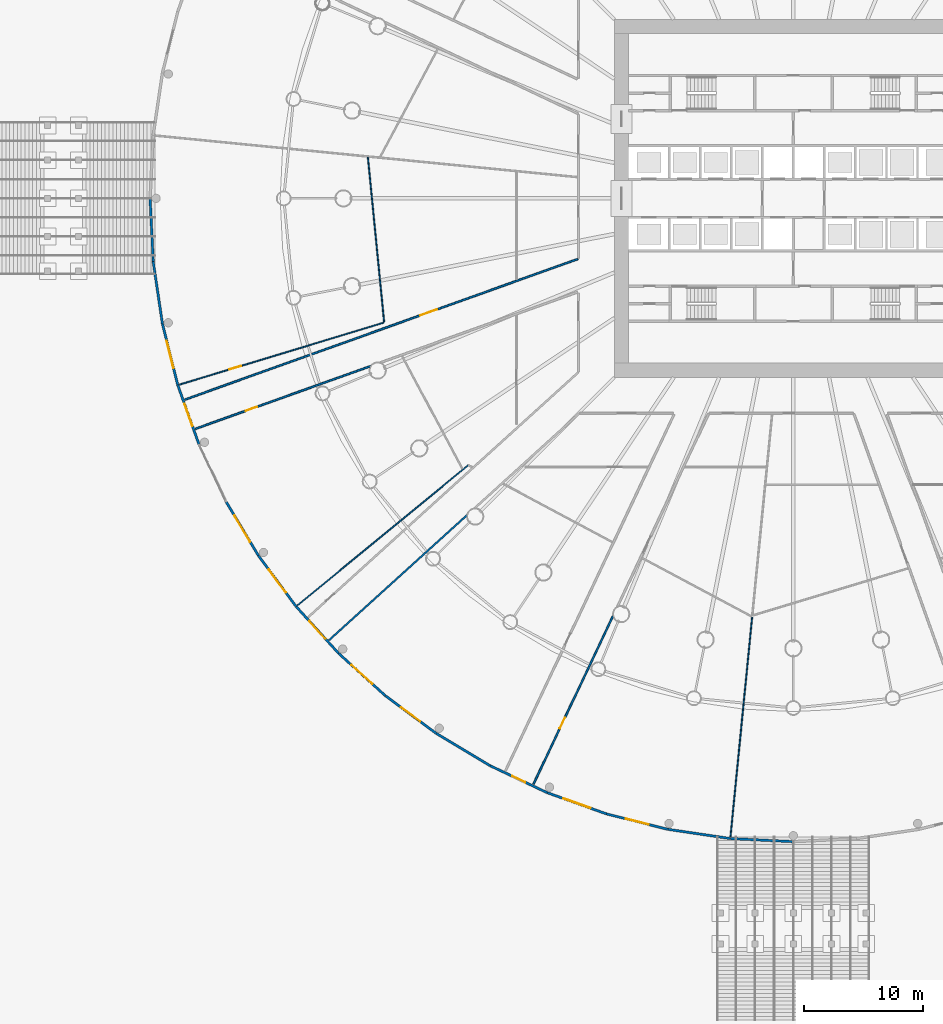
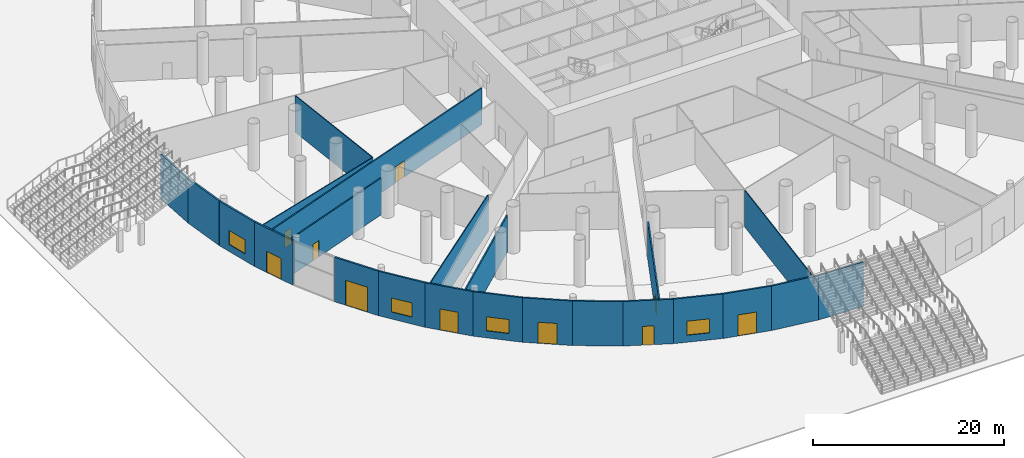
# One storey, part 13 of 33: 23 walls, 10 doors, 4 windows, 14 openings.
"""IFC4 building model written with IfcOpenShell, lengths in metres."""

from ifc_helpers import new_model, si_unit, direction, frame, frame_2d, origin, place, context, subcontext, project, spatial, rectangle, extrude, material, layer, layer_set, type_object, element, fill, save


model = new_model("IFC4")

# Units and contexts
model_context = context("Model", 3, precision=1e-05, world=origin(), true_north=direction((0.0, 1.0)))
body_context = subcontext(model_context, "Body", "Model", "MODEL_VIEW")
ifc_project = project(units=[si_unit("LENGTHUNIT", "METRE"), si_unit("AREAUNIT", "SQUARE_METRE"), si_unit("VOLUMEUNIT", "CUBIC_METRE"), si_unit("PLANEANGLEUNIT", "RADIAN"), si_unit("MASSUNIT", "GRAM", prefix="KILO")], contexts=[model_context])

# Site, building, storey
site_placement = place(None, origin())
site = spatial("IfcSite", under=ifc_project, at=site_placement, CompositionType="ELEMENT")
building_placement = place(site_placement, origin())
building = spatial("IfcBuilding", under=site, at=building_placement, Name="Corvane Civic Tower", CompositionType="ELEMENT")
storey_placement = place(building_placement, origin())
storey = spatial("IfcBuildingStorey", under=building, at=storey_placement, Name="G", CompositionType="ELEMENT", Elevation=0.0)

# Walls
ifc_material_1 = material(Name="Limestone cladding", Category="masonry")
ifc_layer_1 = layer(ifc_material_1, 0.199951171875)
ifc_layer_set_1 = layer_set([ifc_layer_1], Name="Limestone cladding")
wall_type_1 = type_object("IfcWallType", Name="PODIUM-W-PLINTH-200", PredefinedType="SOLIDWALL", material=ifc_layer_set_1)
for number, where, z_axis, x_axis, name in (
    (1, (-0.005126953125, -53.899658203125, 0.0), (0.0, 0.0, 1.0), (-0.998795550715, 0.0490657505, 0.0), "Plinth stone wall 17A"),
    (2, (-5.2880859375, -53.6396484375, 0.0), (0.0, 0.0, 1.0), (-0.989175884212, 0.146734692875, 0.0), "Plinth stone wall 17B"),
):
    element("IfcWall", number, at=place(storey_placement, frame(where, z_axis=z_axis, x_axis=x_axis)), inside=storey, type_object=wall_type_1, Name=name, PredefinedType="SOLIDWALL", context=body_context, shape_type="SweptSolid", body=[
        extrude(rectangle(XDim=5.279296875, YDim=0.199951171875, at=frame_2d((2.6396484375, 0.0))), origin(), (0.0, 0.0, 1.0), 5.699951171875),
    ])

# Wall, opening, door
wall_1_placement = place(storey_placement, frame((-10.520263671875, -52.863037109375, 0.0), z_axis=(0.0, 0.0, 1.0), x_axis=(-0.970022690602, 0.243014361132, 0.0)))
wall_1 = element("IfcWall", 3, at=wall_1_placement, inside=storey, type_object=wall_type_1, Name="Plinth stone wall 18A", PredefinedType="SOLIDWALL", context=body_context, shape_type="SweptSolid", body=[
    extrude(rectangle(XDim=5.279296875, YDim=0.199951171875, at=frame_2d((2.6396484375, 0.0))), origin(), (0.0, 0.0, 1.0), 5.699951171875),
])
opening_1_placement = place(wall_1_placement, frame((1.6396484375, 0.0, 0.0)))
opening_1 = element("IfcOpeningElement", 4, at=opening_1_placement, cuts=wall_1, Name="Opening ED-G-X18", PredefinedType="OPENING", context=body_context, shape_type="SweptSolid", body=[
    extrude(rectangle(XDim=2.0, YDim=2.699951171875, at=frame_2d((1.0, 1.35009765625))), frame((0.0, 0.10986328125, 0.0), z_axis=(0.0, -1.0, 0.0), x_axis=(1.0, 0.0, 0.0)), (0.0, 0.0, 1.0), 0.219970703125),
])
ifc_material_2 = material(Name="Anodised aluminium and glass", Category="aluminium")
door_type_1 = type_object("IfcDoorType", Name="PODIUM-D-EXIT-2000", OperationType="DOUBLE_DOOR_SINGLE_SWING", PredefinedType="DOOR", material=ifc_material_2)
door_1_placement = place(opening_1_placement, origin())
door_1 = element("IfcDoor", 5, at=door_1_placement, inside=storey, type_object=door_type_1, Name="Exit door 18", OperationType="DOUBLE_DOOR_SINGLE_SWING", OverallHeight=2.699951171875, OverallWidth=2.0, PredefinedType="DOOR", context=body_context, shape_type="SweptSolid", body=[
    extrude(rectangle(XDim=2.0, YDim=2.699951171875, at=frame_2d((1.0, 1.35009765625))), frame((0.0, 0.02490234375, 0.0), z_axis=(0.0, -1.0, 0.0), x_axis=(1.0, 0.0, 0.0)), (0.0, 0.0, 1.0), 0.050048828125),
])
fill(opening_1, door_1)

# Wall, opening, window
wall_2_placement = place(storey_placement, frame((-15.65087890625, -51.577392578125, 0.0), z_axis=(0.0, 0.0, 1.0), x_axis=(-0.941528288028, 0.336933944331, 0.0)))
wall_2 = element("IfcWall", 6, at=wall_2_placement, inside=storey, type_object=wall_type_1, Name="Plinth stone wall 18B", PredefinedType="SOLIDWALL", context=body_context, shape_type="SweptSolid", body=[
    extrude(rectangle(XDim=5.279296875, YDim=0.199951171875, at=frame_2d((2.6396484375, 0.0))), origin(), (0.0, 0.0, 1.0), 5.699951171875),
])
opening_2_placement = place(wall_2_placement, frame((1.439697265625, 0.0, 0.89990234375)))
opening_2 = element("IfcOpeningElement", 7, at=opening_2_placement, cuts=wall_2, Name="Opening EW-G-18", PredefinedType="OPENING", context=body_context, shape_type="SweptSolid", body=[
    extrude(rectangle(XDim=2.39990234375, YDim=1.800048828125, at=frame_2d((1.199951171875, 0.89990234375))), frame((0.0, 0.10986328125, 0.0), z_axis=(0.0, -1.0, 0.0), x_axis=(1.0, 0.0, 0.0)), (0.0, 0.0, 1.0), 0.219970703125),
])
ifc_material_3 = material(Name="Anodised aluminium and glass", Category="aluminium")
window_type = type_object("IfcWindowType", Name="PODIUM-WN-PLINTH-2400x1800", PartitioningType="DOUBLE_PANEL_VERTICAL", PredefinedType="WINDOW", material=ifc_material_3)
window_1_placement = place(opening_2_placement, origin())
window_1 = element("IfcWindow", 8, at=window_1_placement, inside=storey, type_object=window_type, Name="Public hall window 18", OverallHeight=1.800048828125, OverallWidth=2.39990234375, PartitioningType="SINGLE_PANEL", PredefinedType="WINDOW", context=body_context, shape_type="SweptSolid", body=[
    extrude(rectangle(XDim=2.39990234375, YDim=1.800048828125, at=frame_2d((1.199951171875, 0.89990234375))), frame((0.0, 0.030029296875, 0.0), z_axis=(0.0, -1.0, 0.0), x_axis=(1.0, 0.0, 0.0)), (0.0, 0.0, 1.0), 0.06005859375),
])
fill(opening_2, window_1)

# Wall, opening, door
wall_3_placement = place(storey_placement, frame((-20.631103515625, -49.794677734375, 0.0), z_axis=(0.0, 0.0, 1.0), x_axis=(-0.903998505851, 0.427535614211, 0.0)))
wall_3 = element("IfcWall", 9, at=wall_3_placement, inside=storey, type_object=wall_type_1, Name="Plinth stone wall 19A", PredefinedType="SOLIDWALL", context=body_context, shape_type="SweptSolid", body=[
    extrude(rectangle(XDim=5.279296875, YDim=0.199951171875, at=frame_2d((2.6396484375, 0.0))), origin(), (0.0, 0.0, 1.0), 5.699951171875),
])
opening_3_placement = place(wall_3_placement, frame((2.03955078125, 0.0, 0.0)))
opening_3 = element("IfcOpeningElement", 10, at=opening_3_placement, cuts=wall_3, Name="Opening ED-G-S19", PredefinedType="OPENING", context=body_context, shape_type="SweptSolid", body=[
    extrude(rectangle(XDim=1.199951171875, YDim=2.39990234375, at=frame_2d((0.60009765625, 1.199951171875))), frame((0.0, 0.10986328125, 0.0), z_axis=(0.0, -1.0, 0.0), x_axis=(1.0, 0.0, 0.0)), (0.0, 0.0, 1.0), 0.219970703125),
])
ifc_material_4 = material(Name="Galvanised steel", Category="steel")
door_type_2 = type_object("IfcDoorType", Name="PODIUM-D-SERVICE-1200", OperationType="SINGLE_SWING_LEFT", PredefinedType="DOOR", material=ifc_material_4)
door_2_placement = place(opening_3_placement, origin())
door_2 = element("IfcDoor", 11, at=door_2_placement, inside=storey, type_object=door_type_2, Name="Service door 19", OperationType="SINGLE_SWING_RIGHT", OverallHeight=2.39990234375, OverallWidth=1.199951171875, PredefinedType="DOOR", context=body_context, shape_type="SweptSolid", body=[
    extrude(rectangle(XDim=1.199951171875, YDim=2.39990234375, at=frame_2d((0.60009765625, 1.199951171875))), frame((0.0, 0.02490234375, 0.0), z_axis=(0.0, -1.0, 0.0), x_axis=(1.0, 0.0, 0.0)), (0.0, 0.0, 1.0), 0.050048828125),
])
fill(opening_3, door_2)

# Wall
wall_4_placement = place(storey_placement, frame((-25.41259765625, -47.532958984375, 0.0), z_axis=(0.0, 0.0, 1.0), x_axis=(-0.857721349929, 0.514114856697, 0.0)))
element("IfcWall", 12, at=wall_4_placement, inside=storey, type_object=wall_type_1, Name="Plinth stone wall 19B", PredefinedType="SOLIDWALL", context=body_context, shape_type="SweptSolid", body=[
    extrude(rectangle(XDim=5.279296875, YDim=0.199951171875, at=frame_2d((2.6396484375, 0.0))), origin(), (0.0, 0.0, 1.0), 5.699951171875),
])

# Wall, opening, door
wall_5_placement = place(storey_placement, frame((-29.94921875, -44.81298828125, 0.0), z_axis=(0.0, 0.0, 1.0), x_axis=(-0.803223646903, 0.595677574746, 0.0)))
wall_5 = element("IfcWall", 13, at=wall_5_placement, inside=storey, type_object=wall_type_1, Name="Plinth stone wall 20A", PredefinedType="SOLIDWALL", context=body_context, shape_type="SweptSolid", body=[
    extrude(rectangle(XDim=5.279296875, YDim=0.199951171875, at=frame_2d((2.6396484375, 0.0))), origin(), (0.0, 0.0, 1.0), 5.699951171875),
])
opening_4_placement = place(wall_5_placement, frame((1.6396484375, 0.0, 0.0)))
opening_4 = element("IfcOpeningElement", 14, at=opening_4_placement, cuts=wall_5, Name="Opening ED-G-X20", PredefinedType="OPENING", context=body_context, shape_type="SweptSolid", body=[
    extrude(rectangle(XDim=2.0, YDim=2.699951171875, at=frame_2d((1.0, 1.35009765625))), frame((0.0, 0.10986328125, 0.0), z_axis=(0.0, -1.0, 0.0), x_axis=(1.0, 0.0, 0.0)), (0.0, 0.0, 1.0), 0.219970703125),
])
door_3_placement = place(opening_4_placement, origin())
door_3 = element("IfcDoor", 15, at=door_3_placement, inside=storey, type_object=door_type_1, Name="Exit door 20", OperationType="DOUBLE_DOOR_SINGLE_SWING", OverallHeight=2.699951171875, OverallWidth=2.0, PredefinedType="DOOR", context=body_context, shape_type="SweptSolid", body=[
    extrude(rectangle(XDim=2.0, YDim=2.699951171875, at=frame_2d((1.0, 1.35009765625))), frame((0.0, 0.02490234375, 0.0), z_axis=(0.0, -1.0, 0.0), x_axis=(1.0, 0.0, 0.0)), (0.0, 0.0, 1.0), 0.050048828125),
])
fill(opening_4, door_3)

# Wall, opening, window
wall_6_placement = place(storey_placement, frame((-34.197509765625, -41.661865234375, 0.0), z_axis=(0.0, 0.0, 1.0), x_axis=(-0.740960345318, 0.671548782045, 0.0)))
wall_6 = element("IfcWall", 16, at=wall_6_placement, inside=storey, type_object=wall_type_1, Name="Plinth stone wall 20B", PredefinedType="SOLIDWALL", context=body_context, shape_type="SweptSolid", body=[
    extrude(rectangle(XDim=5.279541015625, YDim=0.199951171875, at=frame_2d((2.6396484375, 0.0))), origin(), (0.0, 0.0, 1.0), 5.699951171875),
])
opening_5_placement = place(wall_6_placement, frame((1.439697265625, 0.0, 0.89990234375)))
opening_5 = element("IfcOpeningElement", 17, at=opening_5_placement, cuts=wall_6, Name="Opening EW-G-20", PredefinedType="OPENING", context=body_context, shape_type="SweptSolid", body=[
    extrude(rectangle(XDim=2.39990234375, YDim=1.800048828125, at=frame_2d((1.199951171875, 0.89990234375))), frame((0.0, 0.10986328125, 0.0), z_axis=(0.0, -1.0, 0.0), x_axis=(1.0, 0.0, 0.0)), (0.0, 0.0, 1.0), 0.219970703125),
])
window_2_placement = place(opening_5_placement, origin())
window_2 = element("IfcWindow", 18, at=window_2_placement, inside=storey, type_object=window_type, Name="Public hall window 20", OverallHeight=1.800048828125, OverallWidth=2.39990234375, PartitioningType="SINGLE_PANEL", PredefinedType="WINDOW", context=body_context, shape_type="SweptSolid", body=[
    extrude(rectangle(XDim=2.39990234375, YDim=1.800048828125, at=frame_2d((1.199951171875, 0.89990234375))), frame((0.0, 0.030029296875, 0.0), z_axis=(0.0, -1.0, 0.0), x_axis=(1.0, 0.0, 0.0)), (0.0, 0.0, 1.0), 0.06005859375),
])
fill(opening_5, window_2)

# Wall, opening, door
wall_7_placement = place(storey_placement, frame((-38.116455078125, -38.109375, 0.0), z_axis=(0.0, 0.0, 1.0), x_axis=(-0.671548782045, 0.740960345318, 0.0)))
wall_7 = element("IfcWall", 19, at=wall_7_placement, inside=storey, type_object=wall_type_1, Name="Plinth stone wall 21A", PredefinedType="SOLIDWALL", context=body_context, shape_type="SweptSolid", body=[
    extrude(rectangle(XDim=5.279541015625, YDim=0.199951171875, at=frame_2d((2.6396484375, 0.0))), origin(), (0.0, 0.0, 1.0), 5.699951171875),
])
opening_6_placement = place(wall_7_placement, frame((1.6396484375, 0.0, 0.0)))
opening_6 = element("IfcOpeningElement", 20, at=opening_6_placement, cuts=wall_7, Name="Opening ED-G-X21", PredefinedType="OPENING", context=body_context, shape_type="SweptSolid", body=[
    extrude(rectangle(XDim=2.0, YDim=2.699951171875, at=frame_2d((1.0, 1.35009765625))), frame((0.0, 0.10986328125, 0.0), z_axis=(0.0, -1.0, 0.0), x_axis=(1.0, 0.0, 0.0)), (0.0, 0.0, 1.0), 0.219970703125),
])
door_4_placement = place(opening_6_placement, origin())
door_4 = element("IfcDoor", 21, at=door_4_placement, inside=storey, type_object=door_type_1, Name="Exit door 21", OperationType="DOUBLE_DOOR_SINGLE_SWING", OverallHeight=2.699951171875, OverallWidth=2.0, PredefinedType="DOOR", context=body_context, shape_type="SweptSolid", body=[
    extrude(rectangle(XDim=2.0, YDim=2.699951171875, at=frame_2d((1.0, 1.35009765625))), frame((0.0, 0.02490234375, 0.0), z_axis=(0.0, -1.0, 0.0), x_axis=(1.0, 0.0, 0.0)), (0.0, 0.0, 1.0), 0.050048828125),
])
fill(opening_6, door_4)

# Wall, opening, window
wall_8_placement = place(storey_placement, frame((-41.668212890625, -34.189697265625, 0.0), z_axis=(0.0, 0.0, 1.0), x_axis=(-0.595677574746, 0.803223646903, 0.0)))
wall_8 = element("IfcWall", 22, at=wall_8_placement, inside=storey, type_object=wall_type_1, Name="Plinth stone wall 21B", PredefinedType="SOLIDWALL", context=body_context, shape_type="SweptSolid", body=[
    extrude(rectangle(XDim=5.279296875, YDim=0.199951171875, at=frame_2d((2.6396484375, 0.0))), origin(), (0.0, 0.0, 1.0), 5.699951171875),
])
opening_7_placement = place(wall_8_placement, frame((1.439697265625, 0.0, 0.89990234375)))
opening_7 = element("IfcOpeningElement", 23, at=opening_7_placement, cuts=wall_8, Name="Opening EW-G-21", PredefinedType="OPENING", context=body_context, shape_type="SweptSolid", body=[
    extrude(rectangle(XDim=2.39990234375, YDim=1.800048828125, at=frame_2d((1.199951171875, 0.89990234375))), frame((0.0, 0.10986328125, 0.0), z_axis=(0.0, -1.0, 0.0), x_axis=(1.0, 0.0, 0.0)), (0.0, 0.0, 1.0), 0.219970703125),
])
window_3_placement = place(opening_7_placement, origin())
window_3 = element("IfcWindow", 24, at=window_3_placement, inside=storey, type_object=window_type, Name="Public hall window 21", OverallHeight=1.800048828125, OverallWidth=2.39990234375, PartitioningType="SINGLE_PANEL", PredefinedType="WINDOW", context=body_context, shape_type="SweptSolid", body=[
    extrude(rectangle(XDim=2.39990234375, YDim=1.800048828125, at=frame_2d((1.199951171875, 0.89990234375))), frame((0.0, 0.030029296875, 0.0), z_axis=(0.0, -1.0, 0.0), x_axis=(1.0, 0.0, 0.0)), (0.0, 0.0, 1.0), 0.06005859375),
])
fill(opening_7, window_3)

# Wall, opening, door
wall_9_placement = place(storey_placement, frame((-44.81884765625, -29.940673828125, 0.0), z_axis=(0.0, 0.0, 1.0), x_axis=(-0.514114856697, 0.857721349929, 0.0)))
wall_9 = element("IfcWall", 25, at=wall_9_placement, inside=storey, type_object=wall_type_1, Name="Plinth stone wall 22A", PredefinedType="SOLIDWALL", context=body_context, shape_type="SweptSolid", body=[
    extrude(rectangle(XDim=5.279296875, YDim=0.199951171875, at=frame_2d((2.6396484375, 0.0))), origin(), (0.0, 0.0, 1.0), 5.699951171875),
])
opening_8_placement = place(wall_9_placement, frame((1.339599609375, 0.0, 0.0)))
opening_8 = element("IfcOpeningElement", 26, at=opening_8_placement, cuts=wall_9, Name="Opening ED-G-E22", PredefinedType="OPENING", context=body_context, shape_type="SweptSolid", body=[
    extrude(rectangle(XDim=2.60009765625, YDim=3.199951171875, at=frame_2d((1.300048828125, 1.60009765625))), frame((0.0, 0.10986328125, 0.0), z_axis=(0.0, -1.0, 0.0), x_axis=(1.0, 0.0, 0.0)), (0.0, 0.0, 1.0), 0.219970703125),
])
ifc_material_5 = material(Name="Anodised aluminium and glass", Category="aluminium")
door_type_3 = type_object("IfcDoorType", Name="PODIUM-D-ENTRANCE-2600", OperationType="DOUBLE_DOOR_DOUBLE_SWING", PredefinedType="DOOR", material=ifc_material_5)
door_5_placement = place(opening_8_placement, origin())
door_5 = element("IfcDoor", 27, at=door_5_placement, inside=storey, type_object=door_type_3, Name="Entrance door 22", OperationType="DOUBLE_DOOR_DOUBLE_SWING", OverallHeight=3.199951171875, OverallWidth=2.60009765625, PredefinedType="DOOR", context=body_context, shape_type="SweptSolid", body=[
    extrude(rectangle(XDim=2.60009765625, YDim=3.199951171875, at=frame_2d((1.300048828125, 1.60009765625))), frame((0.0, 0.02490234375, 0.0), z_axis=(0.0, -1.0, 0.0), x_axis=(1.0, 0.0, 0.0)), (0.0, 0.0, 1.0), 0.050048828125),
])
fill(opening_8, door_5)

wall_10_placement = place(storey_placement, frame((-49.798583984375, -20.62158203125, 0.0), z_axis=(0.0, 0.0, 1.0), x_axis=(-0.336933944331, 0.941528288028, 0.0)))
wall_10 = element("IfcWall", 28, at=wall_10_placement, inside=storey, type_object=wall_type_1, Name="Plinth stone wall 23A", PredefinedType="SOLIDWALL", context=body_context, shape_type="SweptSolid", body=[
    extrude(rectangle(XDim=5.279296875, YDim=0.199951171875, at=frame_2d((2.6396484375, 0.0))), origin(), (0.0, 0.0, 1.0), 5.699951171875),
])
opening_9_placement = place(wall_10_placement, frame((1.6396484375, 0.0, 0.0)))
opening_9 = element("IfcOpeningElement", 29, at=opening_9_placement, cuts=wall_10, Name="Opening ED-G-X23", PredefinedType="OPENING", context=body_context, shape_type="SweptSolid", body=[
    extrude(rectangle(XDim=2.0, YDim=2.699951171875, at=frame_2d((1.0, 1.35009765625))), frame((0.0, 0.10986328125, 0.0), z_axis=(0.0, -1.0, 0.0), x_axis=(1.0, 0.0, 0.0)), (0.0, 0.0, 1.0), 0.219970703125),
])
door_6_placement = place(opening_9_placement, origin())
door_6 = element("IfcDoor", 30, at=door_6_placement, inside=storey, type_object=door_type_1, Name="Exit door 23", OperationType="DOUBLE_DOOR_SINGLE_SWING", OverallHeight=2.699951171875, OverallWidth=2.0, PredefinedType="DOOR", context=body_context, shape_type="SweptSolid", body=[
    extrude(rectangle(XDim=2.0, YDim=2.699951171875, at=frame_2d((1.0, 1.35009765625))), frame((0.0, 0.02490234375, 0.0), z_axis=(0.0, -1.0, 0.0), x_axis=(1.0, 0.0, 0.0)), (0.0, 0.0, 1.0), 0.050048828125),
])
fill(opening_9, door_6)

# Wall, opening, window
wall_11_placement = place(storey_placement, frame((-51.580078125, -15.641357421875, 0.0), z_axis=(0.0, 0.0, 1.0), x_axis=(-0.243014361132, 0.970022690602, 0.0)))
wall_11 = element("IfcWall", 31, at=wall_11_placement, inside=storey, type_object=wall_type_1, Name="Plinth stone wall 23B", PredefinedType="SOLIDWALL", context=body_context, shape_type="SweptSolid", body=[
    extrude(rectangle(XDim=5.279296875, YDim=0.199951171875, at=frame_2d((2.6396484375, 0.0))), origin(), (0.0, 0.0, 1.0), 5.699951171875),
])
opening_10_placement = place(wall_11_placement, frame((1.439697265625, 0.0, 0.89990234375)))
opening_10 = element("IfcOpeningElement", 32, at=opening_10_placement, cuts=wall_11, Name="Opening EW-G-23", PredefinedType="OPENING", context=body_context, shape_type="SweptSolid", body=[
    extrude(rectangle(XDim=2.39990234375, YDim=1.800048828125, at=frame_2d((1.199951171875, 0.89990234375))), frame((0.0, 0.10986328125, 0.0), z_axis=(0.0, -1.0, 0.0), x_axis=(1.0, 0.0, 0.0)), (0.0, 0.0, 1.0), 0.219970703125),
])
window_4_placement = place(opening_10_placement, origin())
window_4 = element("IfcWindow", 33, at=window_4_placement, inside=storey, type_object=window_type, Name="Public hall window 23", OverallHeight=1.800048828125, OverallWidth=2.39990234375, PartitioningType="SINGLE_PANEL", PredefinedType="WINDOW", context=body_context, shape_type="SweptSolid", body=[
    extrude(rectangle(XDim=2.39990234375, YDim=1.800048828125, at=frame_2d((1.199951171875, 0.89990234375))), frame((0.0, 0.030029296875, 0.0), z_axis=(0.0, -1.0, 0.0), x_axis=(1.0, 0.0, 0.0)), (0.0, 0.0, 1.0), 0.06005859375),
])
fill(opening_10, window_4)

# Walls
for number, where, z_axis, x_axis, name in (
    (34, (-52.864990234375, -10.51025390625, 0.0), (0.0, 0.0, 1.0), (-0.146734692875, 0.989175884212, 0.0), "Plinth stone wall 24A"),
    (35, (-53.640625, -5.278076171875, 0.0), (0.0, 0.0, 1.0), (-0.0490657505, 0.998795550715, 0.0), "Plinth stone wall 24B"),
):
    element("IfcWall", number, at=place(storey_placement, frame(where, z_axis=z_axis, x_axis=x_axis)), inside=storey, type_object=wall_type_1, Name=name, PredefinedType="SOLIDWALL", context=body_context, shape_type="SweptSolid", body=[
        extrude(rectangle(XDim=5.279296875, YDim=0.199951171875, at=frame_2d((2.6396484375, 0.0))), origin(), (0.0, 0.0, 1.0), 5.699951171875),
    ])
ifc_material_6 = material(Name="Plasterboard")
ifc_layer_2 = layer(ifc_material_6, 0.10009765625)
ifc_layer_set_2 = layer_set([ifc_layer_2], Name="Plasterboard")
wall_type_2 = type_object("IfcWallType", Name="Partition 100 plasterboard on studs", PredefinedType="PARTITIONING", material=ifc_layer_set_2)
for number, where, z_axis, x_axis, name in (
    (36, (-5.268310546875, -53.4912109375, 0.0), (0.0, 0.0, 1.0), (0.098005329651, 0.995185889852, 0.0), "Partition G.001"),
    (37, (-41.54931640625, -34.0986328125, 0.0), (0.0, 0.0, 1.0), (0.773012765704, 0.634390466557, 0.0), "Partition G.016"),
):
    element("IfcWall", number, at=place(storey_placement, frame(where, z_axis=z_axis, x_axis=x_axis)), inside=storey, type_object=wall_type_2, Name=name, PredefinedType="PARTITIONING", context=body_context, shape_type="SweptSolid", body=[
        extrude(rectangle(XDim=18.489013671875, YDim=0.10009765625, at=frame_2d((9.24462890625, 0.0))), origin(), (0.0, 0.0, 1.0), 4.699951171875),
    ])

# Wall, opening, door
wall_12_placement = place(storey_placement, frame((-51.435546875, -15.602783203125, 0.0), z_axis=(0.0, 0.0, 1.0), x_axis=(0.956940534178, 0.290284023067, 0.0)))
wall_12 = element("IfcWall", 38, at=wall_12_placement, inside=storey, type_object=wall_type_2, Name="Partition G.043", PredefinedType="PARTITIONING", context=body_context, shape_type="SweptSolid", body=[
    extrude(rectangle(XDim=17.880615234375, YDim=0.10009765625, at=frame_2d((8.9404296875, 0.0))), origin(), (0.0, 0.0, 1.0), 4.699951171875),
])
opening_11_placement = place(wall_12_placement, frame((4.38037109375, 0.0, 0.0)))
opening_11 = element("IfcOpeningElement", 39, at=opening_11_placement, cuts=wall_12, Name="Opening G.034", PredefinedType="OPENING", context=body_context, shape_type="SweptSolid", body=[
    extrude(rectangle(XDim=1.0, YDim=2.10009765625, at=frame_2d((0.5, 1.050048828125))), frame((0.0, 0.06005859375, 0.0), z_axis=(0.0, -1.0, 0.0), x_axis=(1.0, 0.0, 0.0)), (0.0, 0.0, 1.0), 0.1201171875),
])
ifc_material_7 = material(Name="Timber", Category="wood")
door_type_4 = type_object("IfcDoorType", Name="Single door 1000", OperationType="NOTDEFINED", PredefinedType="DOOR", material=ifc_material_7)
door_7_placement = place(opening_11_placement, origin())
door_7 = element("IfcDoor", 40, at=door_7_placement, inside=storey, type_object=door_type_4, Name="Door G.034", OperationType="SINGLE_SWING_LEFT", OverallHeight=2.10009765625, OverallWidth=1.0, PredefinedType="DOOR", context=body_context, shape_type="SweptSolid", body=[
    extrude(rectangle(XDim=1.0, YDim=2.10009765625, at=frame_2d((0.5, 1.050048828125))), frame((0.0, 0.02490234375, 0.0), z_axis=(0.0, -1.0, 0.0), x_axis=(1.0, 0.0, 0.0)), (0.0, 0.0, 1.0), 0.050048828125),
])
fill(opening_11, door_7)

# Wall
wall_13_placement = place(storey_placement, frame((-35.64990234375, 3.451171875, 0.0), z_axis=(0.0, 0.0, 1.0), x_axis=(0.098007379794, -0.995185687953, 0.0)))
element("IfcWall", 41, at=wall_13_placement, inside=storey, type_object=wall_type_2, Name="Partition G.049", PredefinedType="PARTITIONING", context=body_context, shape_type="SweptSolid", body=[
    extrude(rectangle(XDim=13.877685546875, YDim=0.10009765625, at=frame_2d((6.93896484375, 0.0))), origin(), (0.0, 0.0, 1.0), 4.699951171875),
])

# Wall, opening, door
ifc_material_8 = material(Name="Plasterboard")
ifc_layer_3 = layer(ifc_material_8, 0.14990234375)
ifc_layer_set_3 = layer_set([ifc_layer_3], Name="Plasterboard")
wall_type_3 = type_object("IfcWallType", Name="Tenancy wall 150 EI 60", PredefinedType="PARTITIONING", material=ifc_layer_set_3)
wall_14_placement = place(storey_placement, frame((-21.7783203125, -49.086669921875, 0.0), z_axis=(0.0, 0.0, 1.0), x_axis=(0.427566339431, 0.903983974075, 0.0)))
wall_14 = element("IfcWall", 42, at=wall_14_placement, inside=storey, type_object=wall_type_3, Name="Partition G.004", PredefinedType="PARTITIONING", context=body_context, shape_type="SweptSolid", body=[
    extrude(rectangle(XDim=15.58251953125, YDim=0.14990234375, at=frame_2d((7.791259765625, 0.0))), origin(), (0.0, 0.0, 1.0), 4.699951171875),
])
opening_12_placement = place(wall_14_placement, frame((5.154052734375, 0.0, 0.0)))
opening_12 = element("IfcOpeningElement", 43, at=opening_12_placement, cuts=wall_14, Name="Opening G.026", PredefinedType="OPENING", context=body_context, shape_type="SweptSolid", body=[
    extrude(rectangle(XDim=1.0, YDim=2.10009765625, at=frame_2d((0.5, 1.050048828125))), frame((0.0, 0.0849609375, 0.0), z_axis=(0.0, -1.0, 0.0), x_axis=(1.0, 0.0, 0.0)), (0.0, 0.0, 1.0), 0.169921875),
])
ifc_material_9 = material(Name="Steel and timber", Category="steel")
door_type_5 = type_object("IfcDoorType", Name="Fire door FD30S 1000", OperationType="NOTDEFINED", PredefinedType="DOOR", material=ifc_material_9)
door_8_placement = place(opening_12_placement, frame((1.0, 0.0, 0.0), z_axis=(0.0, 0.0, 1.0), x_axis=(-1.0, 0.0, 0.0)))
door_8 = element("IfcDoor", 44, at=door_8_placement, inside=storey, type_object=door_type_5, Name="Door G.026", OperationType="SINGLE_SWING_LEFT", OverallHeight=2.10009765625, OverallWidth=1.0, PredefinedType="DOOR", context=body_context, shape_type="SweptSolid", body=[
    extrude(rectangle(XDim=1.0, YDim=2.10009765625, at=frame_2d((0.5, 1.050048828125))), frame((0.0, 0.02490234375, 0.0), z_axis=(0.0, -1.0, 0.0), x_axis=(1.0, 0.0, 0.0)), (0.0, 0.0, 1.0), 0.050048828125),
])
fill(opening_12, door_8)

# Wall
wall_15_placement = place(storey_placement, frame((-38.9052734375, -37.01611328125, 0.0), z_axis=(0.0, 0.0, 1.0), x_axis=(0.740950163843, 0.67156001571, 0.0)))
element("IfcWall", 45, at=wall_15_placement, inside=storey, type_object=wall_type_3, Name="Partition G.009", PredefinedType="PARTITIONING", context=body_context, shape_type="SweptSolid", body=[
    extrude(rectangle(XDim=15.5830078125, YDim=0.14990234375, at=frame_2d((7.79150390625, 0.0))), origin(), (0.0, 0.0, 1.0), 4.699951171875),
])

# Wall, opening, door
wall_16_placement = place(storey_placement, frame((-50.10888671875, -19.31005859375, 0.0), z_axis=(0.0, 0.0, 1.0), x_axis=(0.941540759411, 0.336899092264, 0.0)))
wall_16 = element("IfcWall", 46, at=wall_16_placement, inside=storey, type_object=wall_type_3, Name="Partition G.032", PredefinedType="PARTITIONING", context=body_context, shape_type="SweptSolid", body=[
    extrude(rectangle(XDim=15.58251953125, YDim=0.14990234375, at=frame_2d((7.791259765625, 0.0))), origin(), (0.0, 0.0, 1.0), 4.699951171875),
])
opening_13_placement = place(wall_16_placement, frame((4.4833984375, 0.0, 0.0)))
opening_13 = element("IfcOpeningElement", 47, at=opening_13_placement, cuts=wall_16, Name="Opening G.033", PredefinedType="OPENING", context=body_context, shape_type="SweptSolid", body=[
    extrude(rectangle(XDim=1.0, YDim=2.10009765625, at=frame_2d((0.5, 1.050048828125))), frame((0.0, 0.0849609375, 0.0), z_axis=(0.0, -1.0, 0.0), x_axis=(1.0, 0.0, 0.0)), (0.0, 0.0, 1.0), 0.169921875),
])
door_9_placement = place(opening_13_placement, frame((1.0, 0.0, 0.0), z_axis=(0.0, 0.0, 1.0), x_axis=(-1.0, 0.0, 0.0)))
door_9 = element("IfcDoor", 48, at=door_9_placement, inside=storey, type_object=door_type_5, Name="Door G.033", OperationType="SINGLE_SWING_RIGHT", OverallHeight=2.10009765625, OverallWidth=1.0, PredefinedType="DOOR", context=body_context, shape_type="SweptSolid", body=[
    extrude(rectangle(XDim=1.0, YDim=2.10009765625, at=frame_2d((0.5, 1.050048828125))), frame((0.0, 0.02490234375, 0.0), z_axis=(0.0, -1.0, 0.0), x_axis=(1.0, 0.0, 0.0)), (0.0, 0.0, 1.0), 0.050048828125),
])
fill(opening_13, door_9)

wall_17_placement = place(storey_placement, frame((-50.985107421875, -16.862060546875, 0.0), z_axis=(0.0, 0.0, 1.0), x_axis=(0.941544209576, 0.336889449842, 0.0)))
wall_17 = element("IfcWall", 49, at=wall_17_placement, inside=storey, type_object=wall_type_3, Name="Partition G.040", PredefinedType="PARTITIONING", context=body_context, shape_type="SweptSolid", body=[
    extrude(rectangle(XDim=34.97998046875, YDim=0.14990234375, at=frame_2d((17.489990234375, 0.0))), origin(), (0.0, 0.0, 1.0), 4.699951171875),
])
opening_14_placement = place(wall_17_placement, frame((20.93798828125, 0.0, 0.0)))
opening_14 = element("IfcOpeningElement", 50, at=opening_14_placement, cuts=wall_17, Name="Opening G.036", PredefinedType="OPENING", context=body_context, shape_type="SweptSolid", body=[
    extrude(rectangle(XDim=1.5, YDim=2.10009765625, at=frame_2d((0.75, 1.050048828125))), frame((0.0, 0.0849609375, 0.0), z_axis=(0.0, -1.0, 0.0), x_axis=(1.0, 0.0, 0.0)), (0.0, 0.0, 1.0), 0.169921875),
])
ifc_material_10 = material(Name="Steel and timber", Category="steel")
door_type_6 = type_object("IfcDoorType", Name="Fire door FD60 double 1500", OperationType="NOTDEFINED", PredefinedType="DOOR", material=ifc_material_10)
door_10_placement = place(opening_14_placement, origin())
door_10 = element("IfcDoor", 51, at=door_10_placement, inside=storey, type_object=door_type_6, Name="Door G.036", OperationType="DOUBLE_DOOR_SINGLE_SWING", OverallHeight=2.10009765625, OverallWidth=1.5, PredefinedType="DOOR", context=body_context, shape_type="SweptSolid", body=[
    extrude(rectangle(XDim=1.5, YDim=2.10009765625, at=frame_2d((0.75, 1.050048828125))), frame((0.0, 0.02490234375, 0.0), z_axis=(0.0, -1.0, 0.0), x_axis=(1.0, 0.0, 0.0)), (0.0, 0.0, 1.0), 0.050048828125),
])
fill(opening_14, door_10)

save(model, "model.ifc")
